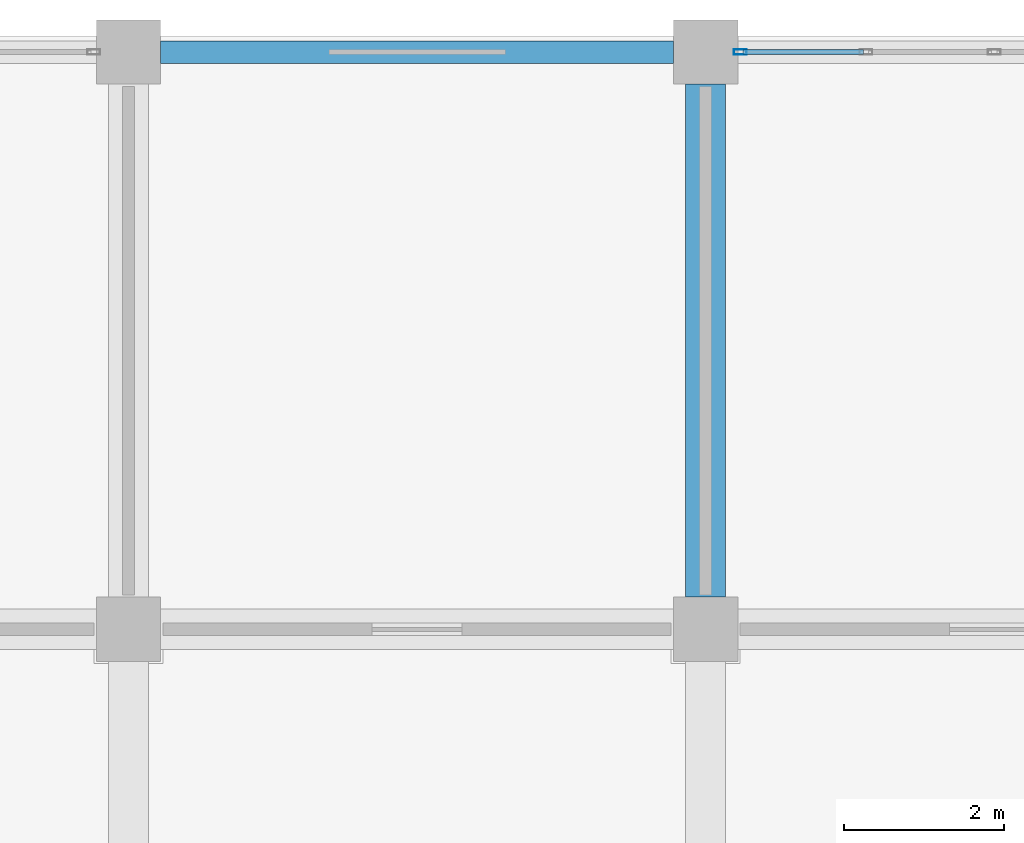
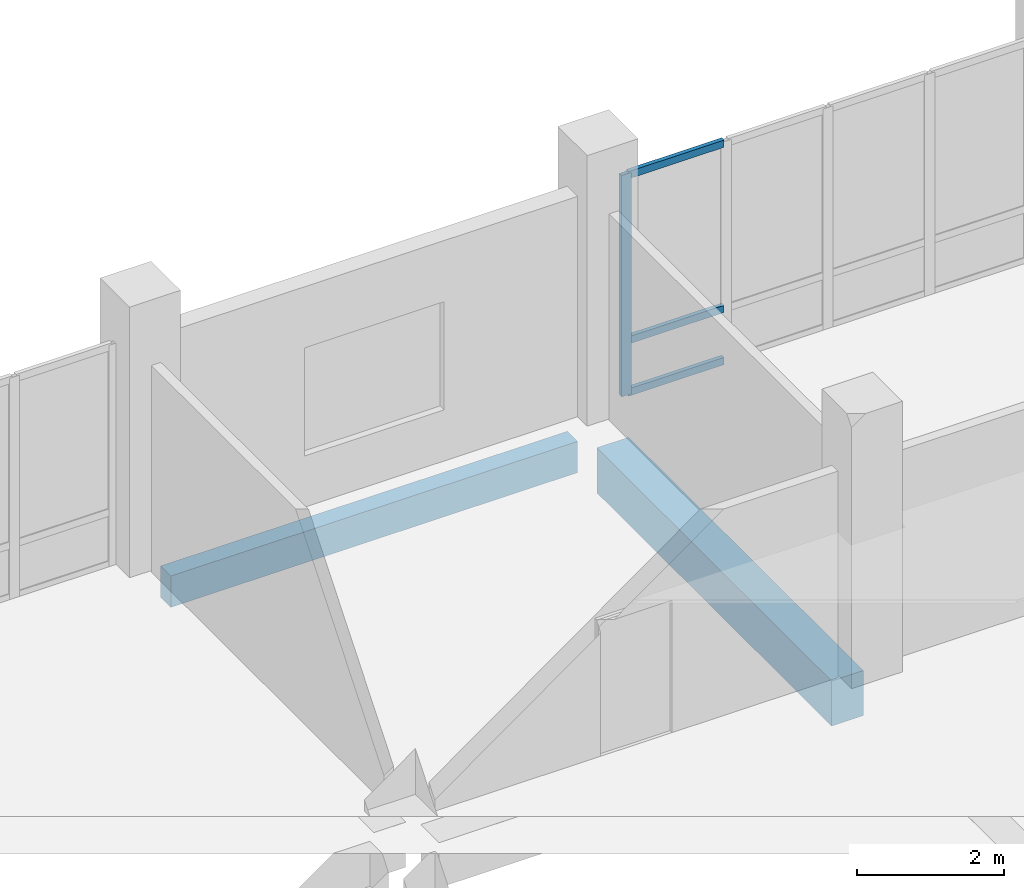
# One storey, part 51 of 139: 4 members, 2 beams, 1 element without a shape of its own.
"""IFC4 building model written with IfcOpenShell, lengths in metres."""

from ifc_helpers import new_model, si_unit, direction, frame, origin, origin_2d, place, context, subcontext, project, spatial, rectangle, hollow_rectangle, extrude, material, material_profile, profile_set, type_object, element, aggregate, save


model = new_model("IFC4")

# Units and contexts
model_context = context("Model", 3, precision=1e-05, world=origin(), true_north=direction((0.0, 1.0)))
body_context = subcontext(model_context, "Body", "Model", "MODEL_VIEW")
ifc_project = project(units=[si_unit("LENGTHUNIT", "METRE"), si_unit("AREAUNIT", "SQUARE_METRE"), si_unit("VOLUMEUNIT", "CUBIC_METRE"), si_unit("PLANEANGLEUNIT", "RADIAN"), si_unit("MASSUNIT", "GRAM", prefix="KILO")], contexts=[model_context])

# Site, building, storey
site_placement = place(None, origin())
site = spatial("IfcSite", under=ifc_project, at=site_placement, CompositionType="ELEMENT")
building_placement = place(site_placement, origin())
building = spatial("IfcBuilding", under=site, at=building_placement, Name="Suanplinth Sawtooth Commons", CompositionType="ELEMENT")
storey_placement = place(building_placement, origin())
storey = spatial("IfcBuildingStorey", under=building, at=storey_placement, Name="L00", CompositionType="ELEMENT", Elevation=0.0)

# Beams
ifc_material_1 = material(Name="Concrete C40/50", Category="concrete")
ifc_material_profile_1 = material_profile(ifc_material_1, rectangle(XDim=0.5, YDim=0.75, at=origin_2d()), Name="RC-GDR 500x750")
ifc_profile_set_1 = profile_set([ifc_material_profile_1], Name="Concrete C40/50")
beam_type_1 = type_object("IfcBeamType", Name="B-03", PredefinedType="USERDEFINED", material=ifc_profile_set_1)
beam_1_placement = place(storey_placement, frame((28.800048828125, 115.60009765625, -0.784912109375), z_axis=(0.0, 1.0, 0.0), x_axis=(-1.0, 0.0, 0.0)))
element("IfcBeam", 1, at=beam_1_placement, inside=storey, type_object=beam_type_1, Name="BMY-L00-A-4-16", ObjectType="GIRDER", PredefinedType="USERDEFINED", context=body_context, shape_type="SweptSolid", body=[
    extrude(rectangle(XDim=0.5, YDim=0.75, at=origin_2d()), origin(), (0.0, 0.0, 1.0), 6.39990234375),
])
ifc_material_2 = material(Name="Precast concrete C40/50", Category="concrete")
ifc_material_profile_2 = material_profile(ifc_material_2, rectangle(XDim=0.280029296875, YDim=0.52001953125, at=origin_2d()), Name="PC-SP 280x520")
ifc_profile_set_2 = profile_set([ifc_material_profile_2], Name="Precast concrete C40/50")
beam_type_2 = type_object("IfcBeamType", Name="B-08", PredefinedType="SPANDREL", material=ifc_profile_set_2)
beam_2_placement = place(storey_placement, frame((22.0, 122.39990234375, -0.669921875), z_axis=(1.0, 0.0, 0.0), x_axis=(0.0, 1.0, 0.0)))
element("IfcBeam", 2, at=beam_2_placement, inside=storey, type_object=beam_type_2, Name="BMX-L00-A-3-17", PredefinedType="SPANDREL", context=body_context, shape_type="SweptSolid", body=[
    extrude(rectangle(XDim=0.280029296875, YDim=0.52001953125, at=origin_2d()), origin(), (0.0, 0.0, 1.0), 6.39990234375),
])

# Curtain wall, members
ifc_material_3 = material(Name="Anodized aluminium and low-E glazing", Category="aluminium")
curtain_wall_type = type_object("IfcCurtainWallType", Name="CW-04", PredefinedType="USERDEFINED", material=ifc_material_3)
curtain_wall_placement = place(storey_placement, origin())
curtain_wall = element("IfcCurtainWall", 3, at=curtain_wall_placement, inside=storey, type_object=curtain_wall_type, Name="Curtain Wall CW-L00-A-N-4", ObjectType="CURTAIN WALL", PredefinedType="USERDEFINED")
ifc_material_4 = material(Name="Anodized aluminium 6063-T6", Category="aluminium")
ifc_material_profile_3 = material_profile(ifc_material_4, hollow_rectangle(XDim=0.06494140625, YDim=0.159912109375, WallThickness=0.00390625, at=origin_2d()), Name="ALU-MUL 65x160")
ifc_profile_set_3 = profile_set([ifc_material_profile_3], Name="Anodized aluminium 6063-T6")
member_type_1 = type_object("IfcMemberType", Name="M-13", PredefinedType="MULLION", material=ifc_profile_set_3)
member_1_placement = place(storey_placement, frame((29.232421875, 122.39990234375, 0.0), z_axis=(0.0, 0.0, 1.0), x_axis=(0.0, 1.0, 0.0)))
member_1 = element("IfcMember", 4, at=member_1_placement, type_object=member_type_1, Name="CW-04 mullion 1", PredefinedType="MULLION", context=body_context, shape_type="SweptSolid", body=[
    extrude(hollow_rectangle(XDim=0.06494140625, YDim=0.159912109375, WallThickness=0.00390625, at=origin_2d()), origin(), (0.0, 0.0, 1.0), 3.679931640625),
])
ifc_material_profile_4 = material_profile(ifc_material_4, hollow_rectangle(XDim=0.06494140625, YDim=0.1201171875, WallThickness=0.00390625, at=origin_2d()), Name="ALU-TRN 65x120")
ifc_profile_set_4 = profile_set([ifc_material_profile_4], Name="Anodized aluminium 6063-T6")
member_type_2 = type_object("IfcMemberType", Name="M-15", PredefinedType="USERDEFINED", material=ifc_profile_set_4)
member_2_placement = place(storey_placement, frame((29.264892578125, 122.39990234375, 0.032470703125), z_axis=(1.0, 0.0, 0.0), x_axis=(0.0, 1.0, 0.0)))
member_2 = element("IfcMember", 5, at=member_2_placement, type_object=member_type_2, Name="CW-04 transom 1.1", ObjectType="TRANSOM", PredefinedType="USERDEFINED", context=body_context, shape_type="SweptSolid", body=[
    extrude(hollow_rectangle(XDim=0.06494140625, YDim=0.1201171875, WallThickness=0.00390625, at=origin_2d()), origin(), (0.0, 0.0, 1.0), 1.502685546875),
])
member_3_placement = place(storey_placement, frame((29.264892578125, 122.39990234375, 0.89990234375), z_axis=(1.0, 0.0, 0.0), x_axis=(0.0, 1.0, 0.0)))
member_3 = element("IfcMember", 6, at=member_3_placement, type_object=member_type_2, Name="CW-04 transom 1.2", ObjectType="TRANSOM", PredefinedType="USERDEFINED", context=body_context, shape_type="SweptSolid", body=[
    extrude(hollow_rectangle(XDim=0.06494140625, YDim=0.1201171875, WallThickness=0.00390625, at=origin_2d()), origin(), (0.0, 0.0, 1.0), 1.502685546875),
])
member_4_placement = place(storey_placement, frame((29.264892578125, 122.39990234375, 3.6474609375), z_axis=(1.0, 0.0, 0.0), x_axis=(0.0, 1.0, 0.0)))
member_4 = element("IfcMember", 7, at=member_4_placement, type_object=member_type_2, Name="CW-04 transom 1.3", ObjectType="TRANSOM", PredefinedType="USERDEFINED", context=body_context, shape_type="SweptSolid", body=[
    extrude(hollow_rectangle(XDim=0.06494140625, YDim=0.1201171875, WallThickness=0.00390625, at=origin_2d()), origin(), (0.0, 0.0, 1.0), 1.502685546875),
])
aggregate(curtain_wall, [member_1, member_2, member_3, member_4])

save(model, "model.ifc")
